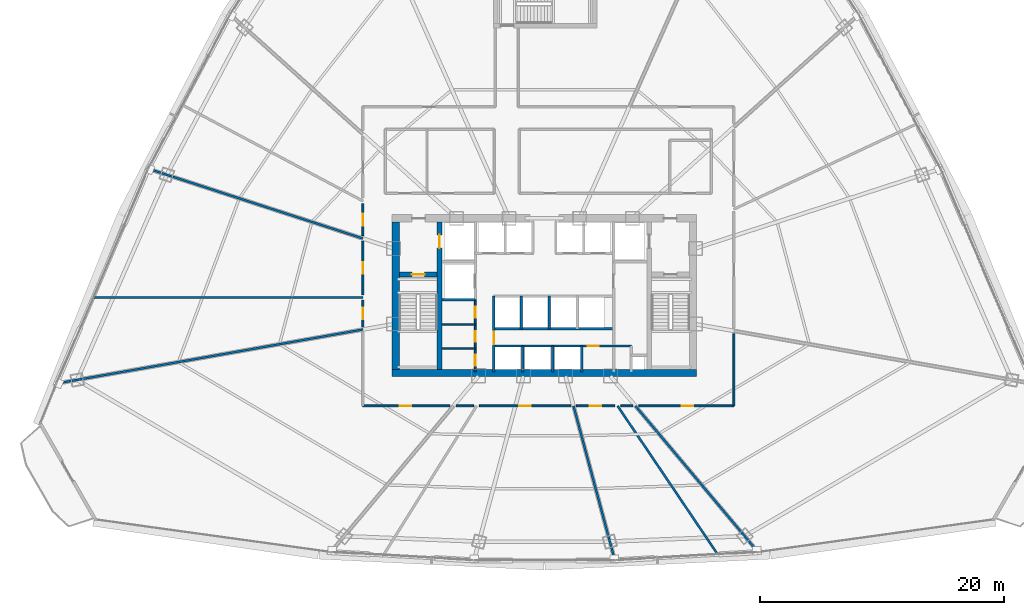
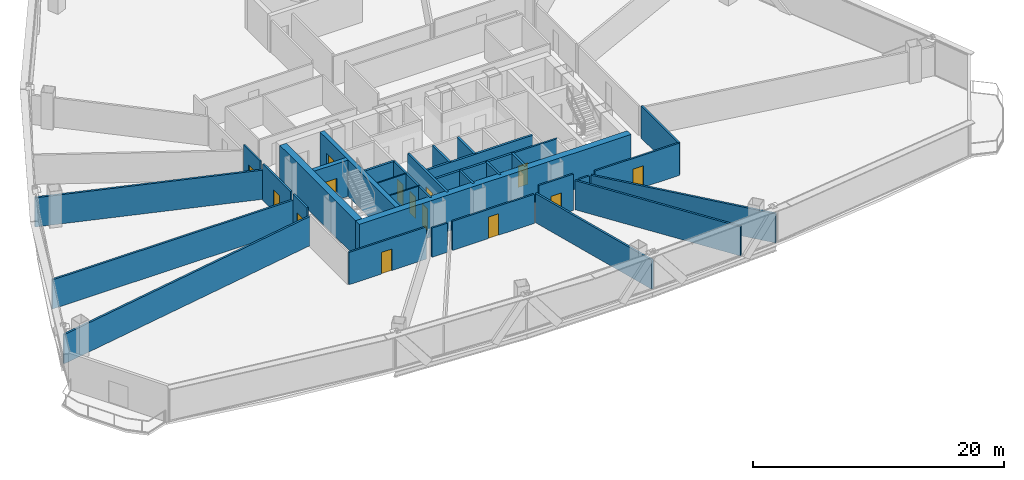
# One storey, part 29 of 36: 33 walls, 14 doors, 14 openings.
"""IFC4 building model written with IfcOpenShell, lengths in metres."""

from ifc_helpers import new_model, si_unit, direction, frame, frame_2d, origin, origin_with_axes, place, context, subcontext, project, spatial, rectangle, extrude, source, transform, mapped, material, layer, layer_set, type_object, element, fill, save


model = new_model("IFC4")

# Units and contexts
model_context = context("Model", 3, precision=1e-05, world=origin(), true_north=direction((0.0, 1.0)))
body_context = subcontext(model_context, "Body", "Model", "MODEL_VIEW")
ifc_project = project(units=[si_unit("LENGTHUNIT", "METRE"), si_unit("AREAUNIT", "SQUARE_METRE"), si_unit("VOLUMEUNIT", "CUBIC_METRE"), si_unit("PLANEANGLEUNIT", "RADIAN"), si_unit("MASSUNIT", "GRAM", prefix="KILO"), si_unit("THERMODYNAMICTEMPERATUREUNIT", "KELVIN"), si_unit("POWERUNIT", "WATT")], contexts=[model_context])

# Site, building, storey
site_placement = place(None, origin())
site = spatial("IfcSite", under=ifc_project, at=site_placement, CompositionType="ELEMENT")
building_placement = place(site_placement, origin())
building = spatial("IfcBuilding", under=site, at=building_placement, Name="Yunzhuo Pagoda Commons", CompositionType="ELEMENT")
storey_placement = place(building_placement, frame((0.0, 0.0, 107.780029296875)))
storey = spatial("IfcBuildingStorey", under=building, at=storey_placement, Name="L27", CompositionType="ELEMENT", Elevation=107.780029296875)

# Walls
ifc_material_1 = material(Name="Concrete C60", Category="concrete")
ifc_layer_1 = layer(ifc_material_1, 0.60009765625)
ifc_layer_set_1 = layer_set([ifc_layer_1], Name="Concrete C60")
wall_type_1 = type_object("IfcWallType", Name="W-C02 Mid Core Shear Wall 600", PredefinedType="SHEAR", material=ifc_layer_set_1)
wall_1_placement = place(storey_placement, frame((35.5, 27.5, 0.0), z_axis=(0.0, 0.0, 1.0), x_axis=(1.0, 0.0, 0.0)))
element("IfcWall", 1, at=wall_1_placement, inside=storey, type_object=wall_type_1, Name="L27 core shear wall S", PredefinedType="SHEAR", context=body_context, shape_type="SweptSolid", body=[
    extrude(rectangle(XDim=25.0, YDim=0.60009765625, at=frame_2d((12.5, 0.0))), origin(), (0.0, 0.0, 1.0), 3.5400390625),
])
wall_2_placement = place(storey_placement, frame((35.800048828125, 27.800048828125, 0.0), z_axis=(0.0, 0.0, 1.0), x_axis=(0.0, 1.0, 0.0)))
element("IfcWall", 2, at=wall_2_placement, inside=storey, type_object=wall_type_1, Name="L27 core shear wall W", PredefinedType="SHEAR", context=body_context, shape_type="SweptSolid", body=[
    extrude(rectangle(XDim=12.099853515625, YDim=0.60009765625, at=frame_2d((6.0498046875, 0.0))), origin(), (0.0, 0.0, 1.0), 3.5400390625),
])

# Wall, openings, doors
ifc_material_2 = material(Name="Gypsum plasterboard on acoustic stud")
ifc_layer_2 = layer(ifc_material_2, 0.159912109375)
ifc_layer_set_2 = layer_set([ifc_layer_2], Name="Gypsum plasterboard on acoustic stud")
wall_type_2 = type_object("IfcWallType", Name="W-COR1 Tower Rated Corridor Wall 160", PredefinedType="PARTITIONING", material=ifc_layer_set_2)
wall_3_placement = place(storey_placement, frame((42.320068359375, 27.60009765625, 0.0), z_axis=(0.0, 0.0, 1.0), x_axis=(0.0, 1.0, 0.0)))
wall_3 = element("IfcWall", 3, at=wall_3_placement, inside=storey, type_object=wall_type_2, Name="L27 interior wall IW-L27-CSWE", PredefinedType="PARTITIONING", context=body_context, shape_type="SweptSolid", body=[
    extrude(rectangle(XDim=5.89990234375, YDim=0.159912109375, at=frame_2d((2.949951171875, 0.0))), origin(), (0.0, 0.0, 1.0), 3.5400390625),
])
opening_1_placement = place(wall_3_placement, frame((0.5, 0.0, 0.0)))
opening_1 = element("IfcOpeningElement", 4, at=opening_1_placement, cuts=wall_3, Name="Opening D-03", PredefinedType="OPENING", context=body_context, shape_type="SweptSolid", body=[
    extrude(rectangle(XDim=0.89990234375, YDim=2.10009765625, at=frame_2d((0.449951171875, 1.050048828125))), frame((0.0, 0.08984375, 0.0), z_axis=(0.0, -1.0, 0.0), x_axis=(1.0, 0.0, 0.0)), (0.0, 0.0, 1.0), 0.179931640625),
])
opening_2_placement = place(wall_3_placement, frame((2.449951171875, 0.0, 0.0)))
opening_2 = element("IfcOpeningElement", 5, at=opening_2_placement, cuts=wall_3, Name="Opening D-03", PredefinedType="OPENING", context=body_context, shape_type="SweptSolid", body=[
    extrude(rectangle(XDim=0.89990234375, YDim=2.10009765625, at=frame_2d((0.449951171875, 1.050048828125))), frame((0.0, 0.08984375, 0.0), z_axis=(0.0, -1.0, 0.0), x_axis=(1.0, 0.0, 0.0)), (0.0, 0.0, 1.0), 0.179931640625),
])
opening_3_placement = place(wall_3_placement, frame((4.419921875, 0.0, 0.0)))
opening_3 = element("IfcOpeningElement", 6, at=opening_3_placement, cuts=wall_3, Name="Opening D-11", PredefinedType="OPENING", context=body_context, shape_type="SweptSolid", body=[
    extrude(rectangle(XDim=0.93994140625, YDim=2.10009765625, at=frame_2d((0.469970703125, 1.050048828125))), frame((0.0, 0.08984375, 0.0), z_axis=(0.0, -1.0, 0.0), x_axis=(1.0, 0.0, 0.0)), (0.0, 0.0, 1.0), 0.179931640625),
])
ifc_material_3 = material(Name="Galvanized fire-resisting metal leaf")
door_type_1 = type_object("IfcDoorType", Name="D-03 Core Service Fire Door 900x2100", OperationType="NOTDEFINED", PredefinedType="DOOR", material=ifc_material_3)
shared_shape_1 = source(origin(), body_context, "Body", "SweptSolid", [
    extrude(rectangle(XDim=0.89990234375, YDim=2.10009765625, at=frame_2d((0.449951171875, 1.050048828125))), frame((0.0, 0.02490234375, 0.0), z_axis=(0.0, -1.0, 0.0), x_axis=(1.0, 0.0, 0.0)), (0.0, 0.0, 1.0), 0.050048828125),
])
door_1_placement = place(opening_1_placement, origin_with_axes())
door_1 = element("IfcDoor", 7, at=door_1_placement, inside=storey, type_object=door_type_1, Name="L27 switch door", OperationType="SINGLE_SWING_RIGHT", OverallHeight=2.10009765625, OverallWidth=0.89990234375, PredefinedType="DOOR", context=body_context, shape_type="MappedRepresentation", body=[
    mapped(shared_shape_1, transform((0.0, 0.0, 0.0), scale=1.0)),
])
fill(opening_1, door_1)
door_2_placement = place(opening_2_placement, origin_with_axes())
door_2 = element("IfcDoor", 8, at=door_2_placement, inside=storey, type_object=door_type_1, Name="L27 cleaner door", OperationType="SINGLE_SWING_RIGHT", OverallHeight=2.10009765625, OverallWidth=0.89990234375, PredefinedType="DOOR", context=body_context, shape_type="MappedRepresentation", body=[
    mapped(shared_shape_1, transform((0.0, 0.0, 0.0), scale=1.0)),
])
fill(opening_2, door_2)
door_type_2 = type_object("IfcDoorType", Name="D-11 Accessible Washroom Fire Door 940x2100", OperationType="NOTDEFINED", PredefinedType="DOOR", material=ifc_material_3)
shared_shape_2 = source(origin(), body_context, "Body", "SweptSolid", [
    extrude(rectangle(XDim=0.93994140625, YDim=2.10009765625, at=frame_2d((0.469970703125, 1.050048828125))), frame((0.0, 0.02490234375, 0.0), z_axis=(0.0, -1.0, 0.0), x_axis=(1.0, 0.0, 0.0)), (0.0, 0.0, 1.0), 0.050048828125),
])
door_3_placement = place(opening_3_placement, origin_with_axes())
door_3 = element("IfcDoor", 9, at=door_3_placement, inside=storey, type_object=door_type_2, Name="L27 core WC door", OperationType="SINGLE_SWING_LEFT", OverallHeight=2.10009765625, OverallWidth=0.93994140625, PredefinedType="DOOR", context=body_context, shape_type="MappedRepresentation", body=[
    mapped(shared_shape_2, transform((0.0, 0.0, 0.0), scale=1.0)),
])
fill(opening_3, door_3)

# Wall, opening, door
wall_4_placement = place(storey_placement, frame((51.050048828125, 29.719970703125, 0.0), z_axis=(0.0, 0.0, 1.0), x_axis=(1.0, 0.0, 0.0)))
wall_4 = element("IfcWall", 10, at=wall_4_placement, inside=storey, type_object=wall_type_2, Name="L27 interior wall IW-L27-CSES", PredefinedType="PARTITIONING", context=body_context, shape_type="SweptSolid", body=[
    extrude(rectangle(XDim=4.070068359375, YDim=0.159912109375, at=frame_2d((2.03515625, 0.0))), origin(), (0.0, 0.0, 1.0), 3.5400390625),
])
opening_4_placement = place(wall_4_placement, frame((0.5, 0.0, 0.0)))
opening_4 = element("IfcOpeningElement", 11, at=opening_4_placement, cuts=wall_4, Name="Opening D-03", PredefinedType="OPENING", context=body_context, shape_type="SweptSolid", body=[
    extrude(rectangle(XDim=0.89990234375, YDim=2.10009765625, at=frame_2d((0.449951171875, 1.050048828125))), frame((0.0, 0.08984375, 0.0), z_axis=(0.0, -1.0, 0.0), x_axis=(1.0, 0.0, 0.0)), (0.0, 0.0, 1.0), 0.179931640625),
])
door_4_placement = place(opening_4_placement, origin_with_axes())
door_4 = element("IfcDoor", 12, at=door_4_placement, inside=storey, type_object=door_type_1, Name="L27 core pantry door", OperationType="SINGLE_SWING_RIGHT", OverallHeight=2.10009765625, OverallWidth=0.89990234375, PredefinedType="DOOR", context=body_context, shape_type="MappedRepresentation", body=[
    mapped(shared_shape_1, transform((0.0, 0.0, 0.0), scale=1.0)),
])
fill(opening_4, door_4)

wall_5_placement = place(storey_placement, frame((33.10009765625, 31.29248046875, 0.0), z_axis=(0.0, 0.0, 1.0), x_axis=(0.0, 1.0, 0.0)))
wall_5 = element("IfcWall", 13, at=wall_5_placement, inside=storey, type_object=wall_type_2, Name="L27 interior wall IW-L27-CWL02", PredefinedType="PARTITIONING", context=body_context, shape_type="SweptSolid", body=[
    extrude(rectangle(XDim=2.1875, YDim=0.159912109375, at=frame_2d((1.09375, 0.0))), origin(), (0.0, 0.0, 1.0), 3.5400390625),
])
opening_5_placement = place(wall_5_placement, frame((0.618896484375, 0.0, 0.0)))
opening_5 = element("IfcOpeningElement", 14, at=opening_5_placement, cuts=wall_5, Name="Opening D-06", PredefinedType="OPENING", context=body_context, shape_type="SweptSolid", body=[
    extrude(rectangle(XDim=0.949951171875, YDim=2.10009765625, at=frame_2d((0.47509765625, 1.050048828125))), frame((0.0, 0.08984375, 0.0), z_axis=(0.0, -1.0, 0.0), x_axis=(1.0, 0.0, 0.0)), (0.0, 0.0, 1.0), 0.179931640625),
])
door_type_3 = type_object("IfcDoorType", Name="D-06 Co-Living Suite Entrance Fire Door 950x2100", OperationType="NOTDEFINED", PredefinedType="DOOR", material=ifc_material_3)
shared_shape_3 = source(origin(), body_context, "Body", "SweptSolid", [
    extrude(rectangle(XDim=0.949951171875, YDim=2.10009765625, at=frame_2d((0.47509765625, 1.050048828125))), frame((0.0, 0.02490234375, 0.0), z_axis=(0.0, -1.0, 0.0), x_axis=(1.0, 0.0, 0.0)), (0.0, 0.0, 1.0), 0.050048828125),
])
door_5_placement = place(opening_5_placement, origin_with_axes())
door_5 = element("IfcDoor", 15, at=door_5_placement, inside=storey, type_object=door_type_3, Name="L27 unit 08 entrance door", OperationType="SINGLE_SWING_RIGHT", OverallHeight=2.10009765625, OverallWidth=0.949951171875, PredefinedType="DOOR", context=body_context, shape_type="MappedRepresentation", body=[
    mapped(shared_shape_3, transform((0.0, 0.0, 0.0), scale=1.0)),
])
fill(opening_5, door_5)

wall_6_placement = place(storey_placement, frame((33.10009765625, 33.919921875, 0.0), z_axis=(0.0, 0.0, 1.0), x_axis=(0.0, 1.0, 0.0)))
wall_6 = element("IfcWall", 16, at=wall_6_placement, inside=storey, type_object=wall_type_2, Name="L27 interior wall IW-L27-CWL03", PredefinedType="PARTITIONING", context=body_context, shape_type="SweptSolid", body=[
    extrude(rectangle(XDim=4.401611328125, YDim=0.159912109375, at=frame_2d((2.20068359375, 0.0))), origin(), (0.0, 0.0, 1.0), 3.5400390625),
])
opening_6_placement = place(wall_6_placement, frame((1.7255859375, 0.0, 0.0)))
opening_6 = element("IfcOpeningElement", 17, at=opening_6_placement, cuts=wall_6, Name="Opening D-06", PredefinedType="OPENING", context=body_context, shape_type="SweptSolid", body=[
    extrude(rectangle(XDim=0.949951171875, YDim=2.10009765625, at=frame_2d((0.47509765625, 1.050048828125))), frame((0.0, 0.08984375, 0.0), z_axis=(0.0, -1.0, 0.0), x_axis=(1.0, 0.0, 0.0)), (0.0, 0.0, 1.0), 0.179931640625),
])
door_6_placement = place(opening_6_placement, origin_with_axes())
door_6 = element("IfcDoor", 18, at=door_6_placement, inside=storey, type_object=door_type_3, Name="L27 unit 07 entrance door", OperationType="SINGLE_SWING_LEFT", OverallHeight=2.10009765625, OverallWidth=0.949951171875, PredefinedType="DOOR", context=body_context, shape_type="MappedRepresentation", body=[
    mapped(shared_shape_3, transform((0.0, 0.0, 0.0), scale=1.0)),
])
fill(opening_6, door_6)

wall_7_placement = place(storey_placement, frame((33.10009765625, 38.772705078125, 0.0), z_axis=(0.0, 0.0, 1.0), x_axis=(0.0, 1.0, 0.0)))
wall_7 = element("IfcWall", 19, at=wall_7_placement, inside=storey, type_object=wall_type_2, Name="L27 interior wall IW-L27-CWL04", PredefinedType="PARTITIONING", context=body_context, shape_type="SweptSolid", body=[
    extrude(rectangle(XDim=2.6298828125, YDim=0.159912109375, at=frame_2d((1.31494140625, 0.0))), origin(), (0.0, 0.0, 1.0), 3.5400390625),
])
opening_7_placement = place(wall_7_placement, frame((0.834228515625, 0.0, 0.0)))
opening_7 = element("IfcOpeningElement", 20, at=opening_7_placement, cuts=wall_7, Name="Opening D-06", PredefinedType="OPENING", context=body_context, shape_type="SweptSolid", body=[
    extrude(rectangle(XDim=0.949951171875, YDim=2.10009765625, at=frame_2d((0.47509765625, 1.050048828125))), frame((0.0, 0.08984375, 0.0), z_axis=(0.0, -1.0, 0.0), x_axis=(1.0, 0.0, 0.0)), (0.0, 0.0, 1.0), 0.179931640625),
])
door_7_placement = place(opening_7_placement, origin_with_axes())
door_7 = element("IfcDoor", 21, at=door_7_placement, inside=storey, type_object=door_type_3, Name="L27 unit 06 entrance door", OperationType="SINGLE_SWING_RIGHT", OverallHeight=2.10009765625, OverallWidth=0.949951171875, PredefinedType="DOOR", context=body_context, shape_type="MappedRepresentation", body=[
    mapped(shared_shape_3, transform((0.0, 0.0, 0.0), scale=1.0)),
])
fill(opening_7, door_7)

# Wall
wall_8_placement = place(storey_placement, frame((63.550048828125, 30.734619140625, 0.0), z_axis=(0.0, 0.0, 1.0), x_axis=(0.0, -1.0, 0.0)))
element("IfcWall", 22, at=wall_8_placement, inside=storey, type_object=wall_type_2, Name="L27 interior wall IW-L27-CWL15", PredefinedType="PARTITIONING", context=body_context, shape_type="SweptSolid", body=[
    extrude(rectangle(XDim=5.9345703125, YDim=0.159912109375, at=frame_2d((2.96728515625, 0.0))), origin(), (0.0, 0.0, 1.0), 3.139892578125),
])

# Wall, opening, door
wall_9_placement = place(storey_placement, frame((63.550048828125, 24.800048828125, 0.0), z_axis=(0.0, 0.0, 1.0), x_axis=(-1.0, 0.0, 0.0)))
wall_9 = element("IfcWall", 23, at=wall_9_placement, inside=storey, type_object=wall_type_2, Name="L27 interior wall IW-L27-CWL16", PredefinedType="PARTITIONING", context=body_context, shape_type="SweptSolid", body=[
    extrude(rectangle(XDim=7.794921875, YDim=0.159912109375, at=frame_2d((3.8974609375, 0.0))), origin(), (0.0, 0.0, 1.0), 3.139892578125),
])
opening_8_placement = place(wall_9_placement, frame((3.3359375, 0.0, 0.0)))
opening_8 = element("IfcOpeningElement", 24, at=opening_8_placement, cuts=wall_9, Name="Opening D-06", PredefinedType="OPENING", context=body_context, shape_type="SweptSolid", body=[
    extrude(rectangle(XDim=0.949951171875, YDim=2.10009765625, at=frame_2d((0.47509765625, 1.050048828125))), frame((0.0, 0.08984375, 0.0), z_axis=(0.0, -1.0, 0.0), x_axis=(1.0, 0.0, 0.0)), (0.0, 0.0, 1.0), 0.179931640625),
])
door_8_placement = place(opening_8_placement, origin_with_axes())
door_8 = element("IfcDoor", 25, at=door_8_placement, inside=storey, type_object=door_type_3, Name="L27 unit 14 entrance door", OperationType="SINGLE_SWING_RIGHT", OverallHeight=2.10009765625, OverallWidth=0.949951171875, PredefinedType="DOOR", context=body_context, shape_type="MappedRepresentation", body=[
    mapped(shared_shape_3, transform((0.0, 0.0, 0.0), scale=1.0)),
])
fill(opening_8, door_8)

# Wall
wall_10_placement = place(storey_placement, frame((55.248046875, 24.800048828125, 0.0), z_axis=(0.0, 0.0, 1.0), x_axis=(-1.0, 0.0, 0.0)))
element("IfcWall", 26, at=wall_10_placement, inside=storey, type_object=wall_type_2, Name="L27 interior wall IW-L27-CWL17", PredefinedType="PARTITIONING", context=body_context, shape_type="SweptSolid", body=[
    extrude(rectangle(XDim=0.9794921875, YDim=0.159912109375, at=frame_2d((0.48974609375, 0.0))), origin(), (0.0, 0.0, 1.0), 2.840087890625),
])

# Wall, opening, door
wall_11_placement = place(storey_placement, frame((53.783203125, 24.800048828125, 0.0), z_axis=(0.0, 0.0, 1.0), x_axis=(-1.0, 0.0, 0.0)))
wall_11 = element("IfcWall", 27, at=wall_11_placement, inside=storey, type_object=wall_type_2, Name="L27 interior wall IW-L27-CWL18", PredefinedType="PARTITIONING", context=body_context, shape_type="SweptSolid", body=[
    extrude(rectangle(XDim=3.170654296875, YDim=0.159912109375, at=frame_2d((1.58544921875, 0.0))), origin(), (0.0, 0.0, 1.0), 3.5400390625),
])
opening_9_placement = place(wall_11_placement, frame((1.1142578125, 0.0, 0.0)))
opening_9 = element("IfcOpeningElement", 28, at=opening_9_placement, cuts=wall_11, Name="Opening D-06", PredefinedType="OPENING", context=body_context, shape_type="SweptSolid", body=[
    extrude(rectangle(XDim=0.949951171875, YDim=2.10009765625, at=frame_2d((0.47509765625, 1.050048828125))), frame((0.0, 0.08984375, 0.0), z_axis=(0.0, -1.0, 0.0), x_axis=(1.0, 0.0, 0.0)), (0.0, 0.0, 1.0), 0.179931640625),
])
door_9_placement = place(opening_9_placement, origin_with_axes())
door_9 = element("IfcDoor", 29, at=door_9_placement, inside=storey, type_object=door_type_3, Name="L27 unit 12 entrance door", OperationType="SINGLE_SWING_RIGHT", OverallHeight=2.10009765625, OverallWidth=0.949951171875, PredefinedType="DOOR", context=body_context, shape_type="MappedRepresentation", body=[
    mapped(shared_shape_3, transform((0.0, 0.0, 0.0), scale=1.0)),
])
fill(opening_9, door_9)

wall_12_placement = place(storey_placement, frame((50.164794921875, 24.800048828125, 0.0), z_axis=(0.0, 0.0, 1.0), x_axis=(-1.0, 0.0, 0.0)))
wall_12 = element("IfcWall", 30, at=wall_12_placement, inside=storey, type_object=wall_type_2, Name="L27 interior wall IW-L27-CWL19", PredefinedType="PARTITIONING", context=body_context, shape_type="SweptSolid", body=[
    extrude(rectangle(XDim=7.50634765625, YDim=0.159912109375, at=frame_2d((3.753173828125, 0.0))), origin(), (0.0, 0.0, 1.0), 2.840087890625),
])
opening_10_placement = place(wall_12_placement, frame((3.2783203125, 0.0, 0.0)))
opening_10 = element("IfcOpeningElement", 31, at=opening_10_placement, cuts=wall_12, Name="Opening D-06", PredefinedType="OPENING", context=body_context, shape_type="SweptSolid", body=[
    extrude(rectangle(XDim=0.949951171875, YDim=2.10009765625, at=frame_2d((0.47509765625, 1.050048828125))), frame((0.0, 0.08984375, 0.0), z_axis=(0.0, -1.0, 0.0), x_axis=(1.0, 0.0, 0.0)), (0.0, 0.0, 1.0), 0.179931640625),
])
door_10_placement = place(opening_10_placement, origin_with_axes())
door_10 = element("IfcDoor", 32, at=door_10_placement, inside=storey, type_object=door_type_3, Name="L27 Academic Reading Commons 2 door", OperationType="SINGLE_SWING_LEFT", OverallHeight=2.10009765625, OverallWidth=0.949951171875, PredefinedType="DOOR", context=body_context, shape_type="MappedRepresentation", body=[
    mapped(shared_shape_3, transform((0.0, 0.0, 0.0), scale=1.0)),
])
fill(opening_10, door_10)

# Wall
wall_13_placement = place(storey_placement, frame((42.17919921875, 24.800048828125, 0.0), z_axis=(0.0, 0.0, 1.0), x_axis=(-1.0, 0.0, 0.0)))
element("IfcWall", 33, at=wall_13_placement, inside=storey, type_object=wall_type_2, Name="L27 interior wall IW-L27-CWL20", PredefinedType="PARTITIONING", context=body_context, shape_type="SweptSolid", body=[
    extrude(rectangle(XDim=1.42724609375, YDim=0.159912109375, at=frame_2d((0.713623046875, 0.0))), origin(), (0.0, 0.0, 1.0), 2.840087890625),
])

# Wall, opening, door
wall_14_placement = place(storey_placement, frame((40.244873046875, 24.800048828125, 0.0), z_axis=(0.0, 0.0, 1.0), x_axis=(-1.0, 0.0, 0.0)))
wall_14 = element("IfcWall", 34, at=wall_14_placement, inside=storey, type_object=wall_type_2, Name="L27 interior wall IW-L27-CWL21", PredefinedType="PARTITIONING", context=body_context, shape_type="SweptSolid", body=[
    extrude(rectangle(XDim=7.144775390625, YDim=0.159912109375, at=frame_2d((3.572265625, 0.0))), origin(), (0.0, 0.0, 1.0), 3.139892578125),
])
opening_11_placement = place(wall_14_placement, frame((3.183837890625, 0.0, 0.0)))
opening_11 = element("IfcOpeningElement", 35, at=opening_11_placement, cuts=wall_14, Name="Opening D-06", PredefinedType="OPENING", context=body_context, shape_type="SweptSolid", body=[
    extrude(rectangle(XDim=0.949951171875, YDim=2.10009765625, at=frame_2d((0.47509765625, 1.050048828125))), frame((0.0, 0.08984375, 0.0), z_axis=(0.0, -1.0, 0.0), x_axis=(1.0, 0.0, 0.0)), (0.0, 0.0, 1.0), 0.179931640625),
])
door_11_placement = place(opening_11_placement, origin_with_axes())
door_11 = element("IfcDoor", 36, at=door_11_placement, inside=storey, type_object=door_type_3, Name="L27 unit 09 entrance door", OperationType="SINGLE_SWING_LEFT", OverallHeight=2.10009765625, OverallWidth=0.949951171875, PredefinedType="DOOR", context=body_context, shape_type="MappedRepresentation", body=[
    mapped(shared_shape_3, transform((0.0, 0.0, 0.0), scale=1.0)),
])
fill(opening_11, door_11)

# Walls
ifc_layer_3 = layer(ifc_material_2, 0.1201171875)
ifc_layer_set_3 = layer_set([ifc_layer_3], Name="Gypsum plasterboard on acoustic stud")
wall_type_3 = type_object("IfcWallType", Name="W-PRT1 Suite & Bathroom Partition 120", PredefinedType="PARTITIONING", material=ifc_layer_set_3)
for number, where, z_axis, x_axis, name in (
    (37, (39.60009765625, 29.5, 0.0), (0.0, 0.0, 1.0), (1.0, 0.0, 0.0), "L27 interior wall IW-L27-CC1"),
    (38, (39.60009765625, 31.5, 0.0), (0.0, 0.0, 1.0), (1.0, 0.0, 0.0), "L27 interior wall IW-L27-CC2"),
):
    element("IfcWall", number, at=place(storey_placement, frame(where, z_axis=z_axis, x_axis=x_axis)), inside=storey, type_object=wall_type_3, Name=name, PredefinedType="PARTITIONING", context=body_context, shape_type="SweptSolid", body=[
        extrude(rectangle(XDim=2.719970703125, YDim=0.1201171875, at=frame_2d((1.35986328125, 0.0))), origin(), (0.0, 0.0, 1.0), 3.5400390625),
    ])
ifc_layer_4 = layer(ifc_material_2, 0.179931640625)
ifc_layer_set_4 = layer_set([ifc_layer_4], Name="Gypsum plasterboard on acoustic stud")
wall_type_4 = type_object("IfcWallType", Name="W-PRT2 Acoustic Unit Demising Wall 180", PredefinedType="PARTITIONING", material=ifc_layer_set_4)
wall_15_placement = place(storey_placement, frame((33.10009765625, 38.541259765625, 0.0), z_axis=(0.0, 0.0, 1.0), x_axis=(-0.951054685131, 0.309022630063, 0.0)))
element("IfcWall", 39, at=wall_15_placement, inside=storey, type_object=wall_type_4, Name="L27 interior wall IW-L27-RAD06", PredefinedType="PARTITIONING", context=body_context, shape_type="SweptSolid", body=[
    extrude(rectangle(XDim=18.534423828125, YDim=0.179931640625, at=frame_2d((9.26708984375, 0.0))), origin(), (0.0, 0.0, 1.0), 2.840087890625),
])
wall_16_placement = place(storey_placement, frame((33.10009765625, 33.699951171875, 0.0), z_axis=(0.0, 0.0, 1.0), x_axis=(-1.0, 0.0, 0.0)))
element("IfcWall", 40, at=wall_16_placement, inside=storey, type_object=wall_type_4, Name="L27 interior wall IW-L27-RAD07", PredefinedType="PARTITIONING", context=body_context, shape_type="SweptSolid", body=[
    extrude(rectangle(XDim=22.14501953125, YDim=0.179931640625, at=frame_2d((11.072509765625, 0.0))), origin(), (0.0, 0.0, 1.0), 2.840087890625),
])
wall_17_placement = place(storey_placement, frame((33.10009765625, 31.07275390625, 0.0), z_axis=(0.0, 0.0, 1.0), x_axis=(-0.984807595402, -0.173649071515, 0.0)))
element("IfcWall", 41, at=wall_17_placement, inside=storey, type_object=wall_type_4, Name="L27 interior wall IW-L27-RAD08", PredefinedType="PARTITIONING", context=body_context, shape_type="SweptSolid", body=[
    extrude(rectangle(XDim=25.552978515625, YDim=0.179931640625, at=frame_2d((12.7763671875, 0.0))), origin(), (0.0, 0.0, 1.0), 2.840087890625),
])
wall_18_placement = place(storey_placement, frame((50.384765625, 24.800048828125, 0.0), z_axis=(0.0, 0.0, 1.0), x_axis=(0.258820732199, -0.965925374231, 0.0)))
element("IfcWall", 42, at=wall_18_placement, inside=storey, type_object=wall_type_4, Name="L27 interior wall IW-L27-RAD11", PredefinedType="PARTITIONING", context=body_context, shape_type="SweptSolid", body=[
    extrude(rectangle(XDim=13.119140625, YDim=0.179931640625, at=frame_2d((6.5595703125, 0.0))), origin(), (0.0, 0.0, 1.0), 2.840087890625),
])
wall_19_placement = place(storey_placement, frame((54.003173828125, 24.800048828125, 0.0), z_axis=(0.0, 0.0, 1.0), x_axis=(0.559194755778, -0.829036323155, 0.0)))
element("IfcWall", 43, at=wall_19_placement, inside=storey, type_object=wall_type_4, Name="L27 interior wall IW-L27-RAD12", PredefinedType="PARTITIONING", context=body_context, shape_type="SweptSolid", body=[
    extrude(rectangle(XDim=14.702392578125, YDim=0.179931640625, at=frame_2d((7.35107421875, 0.0))), origin(), (0.0, 0.0, 1.0), 2.840087890625),
])
wall_20_placement = place(storey_placement, frame((55.468017578125, 24.800048828125, 0.0), z_axis=(0.0, 0.0, 1.0), x_axis=(0.642779306778, -0.76605141001, 0.0)))
element("IfcWall", 44, at=wall_20_placement, inside=storey, type_object=wall_type_4, Name="L27 interior wall IW-L27-RAD13", PredefinedType="PARTITIONING", context=body_context, shape_type="SweptSolid", body=[
    extrude(rectangle(XDim=15.663818359375, YDim=0.179931640625, at=frame_2d((7.83203125, 0.0))), origin(), (0.0, 0.0, 1.0), 2.840087890625),
])

# Wall, opening, door
ifc_layer_5 = layer(ifc_material_1, 0.39990234375)
ifc_layer_set_5 = layer_set([ifc_layer_5], Name="Concrete C60")
wall_type_5 = type_object("IfcWallType", Name="W-S01 Internal Core Shear Web 400", PredefinedType="SHEAR", material=ifc_layer_set_5)
wall_21_placement = place(storey_placement, frame((39.39990234375, 27.800048828125, 0.0), z_axis=(0.0, 0.0, 1.0), x_axis=(0.0, 1.0, 0.0)))
wall_21 = element("IfcWall", 45, at=wall_21_placement, inside=storey, type_object=wall_type_5, Name="L27 core shear wall WEBW", PredefinedType="SHEAR", context=body_context, shape_type="SweptSolid", body=[
    extrude(rectangle(XDim=12.099853515625, YDim=0.39990234375, at=frame_2d((6.0498046875, 0.0))), origin(), (0.0, 0.0, 1.0), 3.5400390625),
])
opening_12_placement = place(wall_21_placement, frame((9.949951171875, 0.0, 0.0)))
opening_12 = element("IfcOpeningElement", 46, at=opening_12_placement, cuts=wall_21, Name="Opening LD-01", PredefinedType="OPENING", context=body_context, shape_type="SweptSolid", body=[
    extrude(rectangle(XDim=1.10009765625, YDim=2.10009765625, at=frame_2d((0.550048828125, 1.050048828125))), frame((0.0, 0.2099609375, 0.0), z_axis=(0.0, -1.0, 0.0), x_axis=(1.0, 0.0, 0.0)), (0.0, 0.0, 1.0), 0.419921875),
])
door_type_4 = type_object("IfcDoorType", Name="LD-01 Firefighting Lift Landing Door 1100x2100", OperationType="DOUBLE_DOOR_SLIDING", PredefinedType="DOOR", material=ifc_material_3)
shared_shape_4 = source(origin(), body_context, "Body", "SweptSolid", [
    extrude(rectangle(XDim=1.10009765625, YDim=2.10009765625, at=frame_2d((0.550048828125, 1.050048828125))), frame((0.0, 0.02490234375, 0.0), z_axis=(0.0, -1.0, 0.0), x_axis=(1.0, 0.0, 0.0)), (0.0, 0.0, 1.0), 0.050048828125),
])
door_12_placement = place(opening_12_placement, frame((1.10009765625, 0.0, 0.0), z_axis=(0.0, 0.0, 1.0), x_axis=(-1.0, 0.0, 0.0)))
door_12 = element("IfcDoor", 47, at=door_12_placement, inside=storey, type_object=door_type_4, Name="L27 Firefighting lift FL-1 landing door", OperationType="DOUBLE_DOOR_SLIDING", OverallHeight=2.10009765625, OverallWidth=1.10009765625, PredefinedType="DOOR", context=body_context, shape_type="MappedRepresentation", body=[
    mapped(shared_shape_4, transform((0.0, 0.0, 0.0), scale=1.0)),
])
fill(opening_12, door_12)

wall_22_placement = place(storey_placement, frame((36.10009765625, 35.60009765625, 0.0), z_axis=(0.0, 0.0, 1.0), x_axis=(1.0, 0.0, 0.0)))
wall_22 = element("IfcWall", 48, at=wall_22_placement, inside=storey, type_object=wall_type_5, Name="L27 core shear wall STW", PredefinedType="SHEAR", context=body_context, shape_type="SweptSolid", body=[
    extrude(rectangle(XDim=3.099853515625, YDim=0.39990234375, at=frame_2d((1.5498046875, 0.0))), origin(), (0.0, 0.0, 1.0), 3.5400390625),
])
opening_13_placement = place(wall_22_placement, frame((1.02001953125, 0.0, 0.0)))
opening_13 = element("IfcOpeningElement", 49, at=opening_13_placement, cuts=wall_22, Name="Opening D-01", PredefinedType="OPENING", context=body_context, shape_type="SweptSolid", body=[
    extrude(rectangle(XDim=1.050048828125, YDim=2.10009765625, at=frame_2d((0.52490234375, 1.050048828125))), frame((0.0, 0.2099609375, 0.0), z_axis=(0.0, -1.0, 0.0), x_axis=(1.0, 0.0, 0.0)), (0.0, 0.0, 1.0), 0.419921875),
])
door_type_5 = type_object("IfcDoorType", Name="D-01 Smokeproof Stair Fire Door 1050x2100", OperationType="NOTDEFINED", PredefinedType="DOOR", material=ifc_material_3)
shared_shape_5 = source(origin(), body_context, "Body", "SweptSolid", [
    extrude(rectangle(XDim=1.050048828125, YDim=2.10009765625, at=frame_2d((0.52490234375, 1.050048828125))), frame((0.0, 0.02490234375, 0.0), z_axis=(0.0, -1.0, 0.0), x_axis=(1.0, 0.0, 0.0)), (0.0, 0.0, 1.0), 0.050048828125),
])
door_13_placement = place(opening_13_placement, frame((1.050048828125, 0.0, 0.0), z_axis=(0.0, 0.0, 1.0), x_axis=(-1.0, 0.0, 0.0)))
door_13 = element("IfcDoor", 50, at=door_13_placement, inside=storey, type_object=door_type_5, Name="L27 Stair ST1 fire door", OperationType="SINGLE_SWING_LEFT", OverallHeight=2.10009765625, OverallWidth=1.050048828125, PredefinedType="DOOR", context=body_context, shape_type="MappedRepresentation", body=[
    mapped(shared_shape_5, transform((0.0, 0.0, 0.0), scale=1.0)),
])
fill(opening_13, door_13)

# Wall
ifc_material_4 = material(Name="Concrete C40", Category="concrete")
ifc_layer_6 = layer(ifc_material_4, 0.199951171875)
ifc_layer_set_6 = layer_set([ifc_layer_6], Name="Concrete C40")
wall_type_6 = type_object("IfcWallType", Name="W-SHF Shaft & Stair Enclosure Wall 200", PredefinedType="SOLIDWALL", material=ifc_layer_set_6)
wall_23_placement = place(storey_placement, frame((39.60009765625, 33.5, 0.0), z_axis=(0.0, 0.0, 1.0), x_axis=(1.0, 0.0, 0.0)))
element("IfcWall", 51, at=wall_23_placement, inside=storey, type_object=wall_type_6, Name="L27 interior wall IW-L27-SL1S", PredefinedType="SOLIDWALL", context=body_context, shape_type="SweptSolid", body=[
    extrude(rectangle(XDim=2.719970703125, YDim=0.199951171875, at=frame_2d((1.35986328125, 0.0))), origin(), (0.0, 0.0, 1.0), 3.5400390625),
])

# Wall, opening, door
wall_24_placement = place(storey_placement, frame((43.85009765625, 27.60009765625, 0.0), z_axis=(0.0, 0.0, 1.0), x_axis=(0.0, 1.0, 0.0)))
wall_24 = element("IfcWall", 52, at=wall_24_placement, inside=storey, type_object=wall_type_6, Name="L27 interior wall IW-L27-PLMW", PredefinedType="SOLIDWALL", context=body_context, shape_type="SweptSolid", body=[
    extrude(rectangle(XDim=6.219970703125, YDim=0.199951171875, at=frame_2d((3.10986328125, 0.0))), origin(), (0.0, 0.0, 1.0), 3.5400390625),
])
opening_14_placement = place(wall_24_placement, frame((2.25, 0.0, 0.0)))
opening_14 = element("IfcOpeningElement", 53, at=opening_14_placement, cuts=wall_24, Name="Opening D-02", PredefinedType="OPENING", context=body_context, shape_type="SweptSolid", body=[
    extrude(rectangle(XDim=1.050048828125, YDim=2.10009765625, at=frame_2d((0.52490234375, 1.050048828125))), frame((0.0, 0.10986328125, 0.0), z_axis=(0.0, -1.0, 0.0), x_axis=(1.0, 0.0, 0.0)), (0.0, 0.0, 1.0), 0.219970703125),
])
door_type_6 = type_object("IfcDoorType", Name="D-02 Firefighting Lobby & Refuge Fire Door 1050x2100", OperationType="NOTDEFINED", PredefinedType="DOOR", material=ifc_material_3)
door_14_placement = place(opening_14_placement, frame((1.050048828125, 0.0, 0.0), z_axis=(0.0, 0.0, 1.0), x_axis=(-1.0, 0.0, 0.0)))
door_14 = element("IfcDoor", 54, at=door_14_placement, inside=storey, type_object=door_type_6, Name="L27 High-bank hall west door", OperationType="SINGLE_SWING_LEFT", OverallHeight=2.10009765625, OverallWidth=1.050048828125, PredefinedType="DOOR", context=body_context, shape_type="MappedRepresentation", body=[
    mapped(shared_shape_5, transform((0.0, 0.0, 0.0), scale=1.0)),
])
fill(opening_14, door_14)

# Walls
for number, where, z_axis, x_axis, name in (
    (55, (46.10009765625, 31.1201171875, 0.0), (0.0, 0.0, 1.0), (0.0, 1.0, 0.0), "L27 interior wall IW-L27-PLMD1"),
    (56, (48.39990234375, 31.1201171875, 0.0), (0.0, 0.0, 1.0), (0.0, 1.0, 0.0), "L27 interior wall IW-L27-PLMD2"),
):
    element("IfcWall", number, at=place(storey_placement, frame(where, z_axis=z_axis, x_axis=x_axis)), inside=storey, type_object=wall_type_6, Name=name, PredefinedType="SOLIDWALL", context=body_context, shape_type="SweptSolid", body=[
        extrude(rectangle(XDim=2.699951171875, YDim=0.199951171875, at=frame_2d((1.35009765625, 0.0))), origin(), (0.0, 0.0, 1.0), 3.5400390625),
    ])
wall_25_placement = place(storey_placement, frame((43.85009765625, 29.719970703125, 0.0), z_axis=(0.0, 0.0, 1.0), x_axis=(1.0, 0.0, 0.0)))
element("IfcWall", 57, at=wall_25_placement, inside=storey, type_object=wall_type_6, Name="L27 interior wall IW-L27-PLHN", PredefinedType="SOLIDWALL", context=body_context, shape_type="SweptSolid", body=[
    extrude(rectangle(XDim=7.199951171875, YDim=0.199951171875, at=frame_2d((3.60009765625, 0.0))), origin(), (0.0, 0.0, 1.0), 3.5400390625),
])
wall_26_placement = place(storey_placement, frame((51.050048828125, 27.60009765625, 0.0), z_axis=(0.0, 0.0, 1.0), x_axis=(0.0, 1.0, 0.0)))
element("IfcWall", 58, at=wall_26_placement, inside=storey, type_object=wall_type_6, Name="L27 interior wall IW-L27-PLHE", PredefinedType="SOLIDWALL", context=body_context, shape_type="SweptSolid", body=[
    extrude(rectangle(XDim=2.119873046875, YDim=0.199951171875, at=frame_2d((1.06005859375, 0.0))), origin(), (0.0, 0.0, 1.0), 3.5400390625),
])
wall_27_placement = place(storey_placement, frame((43.85009765625, 31.1201171875, 0.0), z_axis=(0.0, 0.0, 1.0), x_axis=(1.0, 0.0, 0.0)))
element("IfcWall", 59, at=wall_27_placement, inside=storey, type_object=wall_type_6, Name="L27 interior wall IW-L27-PLMS2", PredefinedType="SOLIDWALL", context=body_context, shape_type="SweptSolid", body=[
    extrude(rectangle(XDim=9.829833984375, YDim=0.199951171875, at=frame_2d((4.9150390625, 0.0))), origin(), (0.0, 0.0, 1.0), 3.5400390625),
])
for number, where, z_axis, x_axis, name in (
    (60, (46.22509765625, 27.60009765625, 0.0), (0.0, 0.0, 1.0), (0.0, 1.0, 0.0), "L27 interior wall IW-L27-PLHD1"),
    (61, (48.675048828125, 27.60009765625, 0.0), (0.0, 0.0, 1.0), (0.0, 1.0, 0.0), "L27 interior wall IW-L27-PLHD2"),
):
    element("IfcWall", number, at=place(storey_placement, frame(where, z_axis=z_axis, x_axis=x_axis)), inside=storey, type_object=wall_type_6, Name=name, PredefinedType="SOLIDWALL", context=body_context, shape_type="SweptSolid", body=[
        extrude(rectangle(XDim=2.119873046875, YDim=0.199951171875, at=frame_2d((1.06005859375, 0.0))), origin(), (0.0, 0.0, 1.0), 3.5400390625),
    ])

save(model, "model.ifc")
